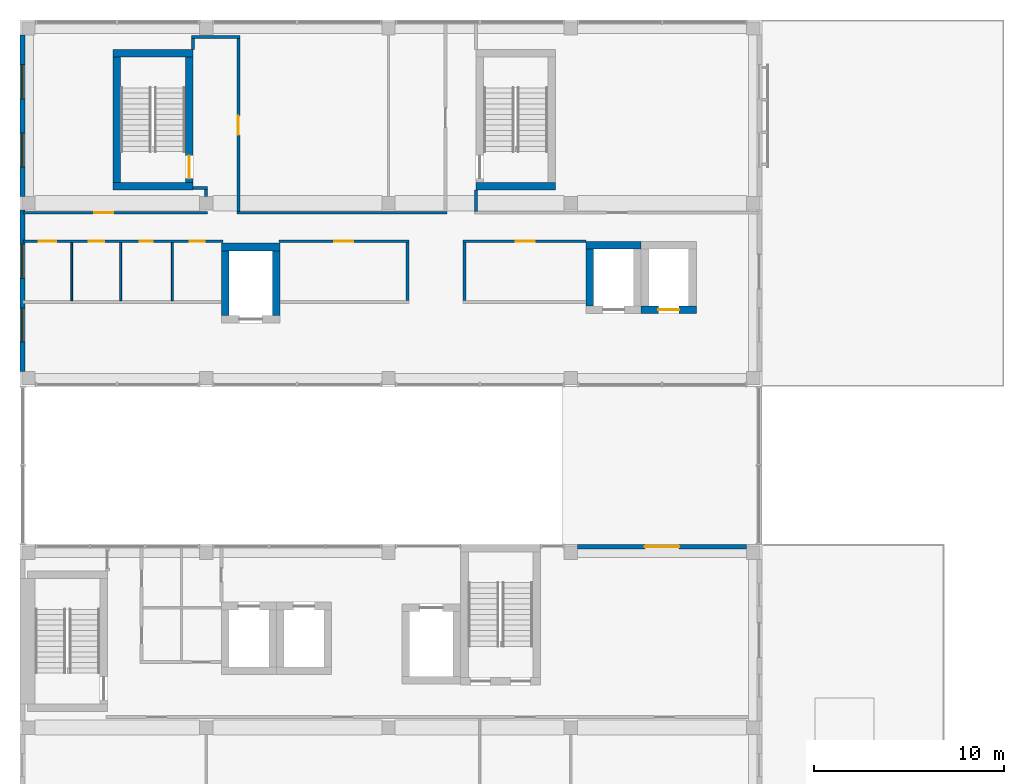
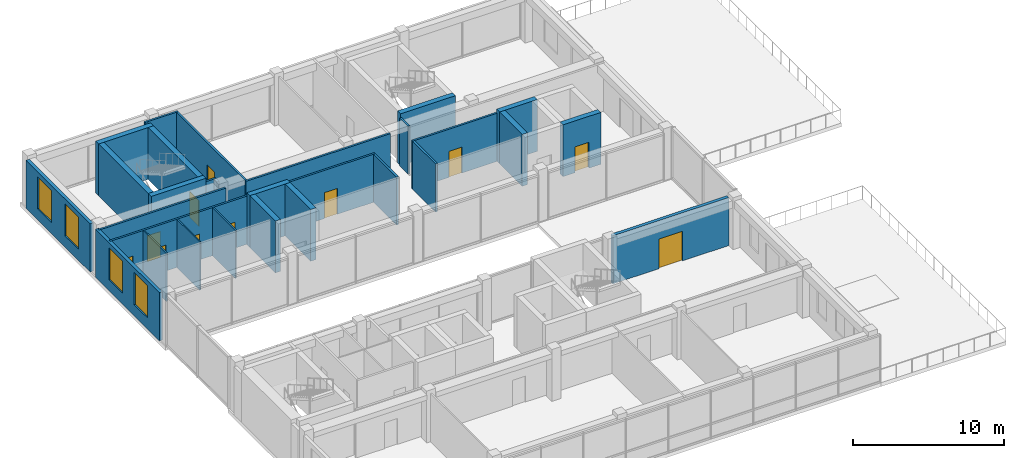
# One storey, part 20 of 27: 30 walls, 11 doors, 4 windows, 15 openings.
"""IFC4 building model written with IfcOpenShell, lengths in metres."""

from ifc_helpers import new_model, si_unit, direction, frame, frame_2d, origin, place, context, subcontext, project, spatial, rectangle, extrude, material, layer, layer_set, layer_usage, type_object, element, fill, save


model = new_model("IFC4")

# Units and contexts
model_context = context("Model", 3, precision=1e-05, world=origin(), true_north=direction((0.0, 1.0)))
body_context = subcontext(model_context, "Body", "Model", "MODEL_VIEW")
ifc_project = project(units=[si_unit("LENGTHUNIT", "METRE"), si_unit("AREAUNIT", "SQUARE_METRE"), si_unit("VOLUMEUNIT", "CUBIC_METRE"), si_unit("PLANEANGLEUNIT", "RADIAN"), si_unit("MASSUNIT", "GRAM", prefix="KILO")], contexts=[model_context])

# Site, building, storey
site_placement = place(None, origin())
site = spatial("IfcSite", under=ifc_project, at=site_placement, CompositionType="ELEMENT")
building_placement = place(site_placement, origin())
building = spatial("IfcBuilding", under=site, at=building_placement, Name="Nzadi Deep Aquarium and Research Tower", CompositionType="ELEMENT")
storey_placement = place(building_placement, frame((0.0, 0.0, 69.699951171875)))
storey = spatial("IfcBuildingStorey", under=building, at=storey_placement, Name="L14", CompositionType="ELEMENT", Elevation=69.699951171875)

# Wall, opening, door
ifc_material_1 = material(Name="Concrete C35/45", Category="concrete")
ifc_layer_1 = layer(ifc_material_1, 0.14990234375, Category="cladding")
ifc_material_2 = material(Name="Mineral wool insulation")
ifc_layer_2 = layer(ifc_material_2, 0.070068359375, Category="insulation")
ifc_material_3 = material(Name="Gypsum board lining")
ifc_layer_3 = layer(ifc_material_3, 0.030029296875, Category="lining")
ifc_layer_set_1 = layer_set([ifc_layer_1, ifc_layer_2, ifc_layer_3], Name="Concrete C35/45, Mineral wool insulation, Gypsum board lining")
ifc_layer_usage_1 = layer_usage(ifc_layer_set_1, "AXIS2", "POSITIVE", -0.125)
wall_type_1 = type_object("IfcWallType", Name="End wall board-formed concrete 250", PredefinedType="ELEMENTEDWALL", material=ifc_layer_set_1)
wall_1_placement = place(storey_placement, frame((38.050048828125, 18.72509765625, 0.0), z_axis=(0.0, 0.0, 1.0), x_axis=(-1.0, 0.0, 0.0)))
wall_1 = element("IfcWall", 1, at=wall_1_placement, inside=storey, type_object=wall_type_1, material=ifc_layer_usage_1, Name="Slot face wall L14 blade A", PredefinedType="ELEMENTEDWALL", context=body_context, shape_type="SweptSolid", body=[
    extrude(rectangle(XDim=8.900146484375, YDim=0.25, at=frame_2d((4.4501953125, 0.0))), origin(), (0.0, 0.0, 1.0), 3.900146484375),
])
opening_1_placement = place(wall_1_placement, frame((3.550048828125, 0.0, 0.0)))
opening_1 = element("IfcOpeningElement", 2, at=opening_1_placement, cuts=wall_1, Name="Opening DE002", PredefinedType="OPENING", context=body_context, shape_type="SweptSolid", body=[
    extrude(rectangle(XDim=1.800048828125, YDim=2.39990234375, at=frame_2d((0.89990234375, 1.199951171875))), frame((0.0, 0.135009765625, 0.0), z_axis=(0.0, -1.0, 0.0), x_axis=(1.0, 0.0, 0.0)), (0.0, 0.0, 1.0), 0.27001953125),
])
ifc_material_4 = material(Name="Aluminium framed glazing", Category="aluminium")
door_type_1 = type_object("IfcDoorType", Name="Terrace double door 1800x2400", OperationType="DOUBLE_DOOR_SINGLE_SWING", PredefinedType="DOOR", material=ifc_material_4)
door_1_placement = place(opening_1_placement, frame((1.800048828125, 0.0, 0.0), z_axis=(0.0, 0.0, 1.0), x_axis=(-1.0, 0.0, 0.0)))
door_1 = element("IfcDoor", 3, at=door_1_placement, inside=storey, type_object=door_type_1, Name="Terrace door L14 bridge roof", OperationType="DOUBLE_DOOR_SINGLE_SWING", OverallHeight=2.39990234375, OverallWidth=1.800048828125, PredefinedType="DOOR", context=body_context, shape_type="SweptSolid", body=[
    extrude(rectangle(XDim=1.800048828125, YDim=2.39990234375, at=frame_2d((0.89990234375, 1.199951171875))), frame((0.0, 0.02490234375, 0.0), z_axis=(0.0, -1.0, 0.0), x_axis=(1.0, 0.0, 0.0)), (0.0, 0.0, 1.0), 0.050048828125),
])
fill(opening_1, door_1)

# Wall, openings, windows
ifc_layer_usage_2 = layer_usage(ifc_layer_set_1, "AXIS2", "POSITIVE", -0.125)
wall_2_placement = place(storey_placement, frame((-0.074462890625, 45.64990234375, 0.0), z_axis=(0.0, 0.0, 1.0), x_axis=(0.0, -1.0, 0.0)))
wall_2 = element("IfcWall", 4, at=wall_2_placement, inside=storey, type_object=wall_type_1, material=ifc_layer_usage_2, Name="End wall blade B west L14", PredefinedType="ELEMENTEDWALL", context=body_context, shape_type="SweptSolid", body=[
    extrude(rectangle(XDim=8.5, YDim=0.25, at=frame_2d((4.25, 0.0))), origin(), (0.0, 0.0, 1.0), 3.900146484375),
])
opening_2_placement = place(wall_2_placement, frame((5.14990234375, 0.0, 0.89990234375)))
opening_2 = element("IfcOpeningElement", 5, at=opening_2_placement, cuts=wall_2, Name="Opening WN01", PredefinedType="OPENING", context=body_context, shape_type="SweptSolid", body=[
    extrude(rectangle(XDim=1.800048828125, YDim=2.60009765625, at=frame_2d((0.89990234375, 1.300048828125))), frame((0.0, 0.135009765625, 0.0), z_axis=(0.0, -1.0, 0.0), x_axis=(1.0, 0.0, 0.0)), (0.0, 0.0, 1.0), 0.27001953125),
])
opening_3_placement = place(wall_2_placement, frame((1.550048828125, 0.0, 0.89990234375)))
opening_3 = element("IfcOpeningElement", 6, at=opening_3_placement, cuts=wall_2, Name="Opening WN01", PredefinedType="OPENING", context=body_context, shape_type="SweptSolid", body=[
    extrude(rectangle(XDim=1.800048828125, YDim=2.60009765625, at=frame_2d((0.89990234375, 1.300048828125))), frame((0.0, 0.135009765625, 0.0), z_axis=(0.0, -1.0, 0.0), x_axis=(1.0, 0.0, 0.0)), (0.0, 0.0, 1.0), 0.27001953125),
])
ifc_material_5 = material(Name="Aluminium window, sage tint glazing", Category="aluminium")
window_type = type_object("IfcWindowType", Name="Slot window 1800x2600 sill 900", PartitioningType="SINGLE_PANEL", PredefinedType="WINDOW", material=ifc_material_5)
window_1_placement = place(opening_2_placement, origin())
window_1 = element("IfcWindow", 7, at=window_1_placement, inside=storey, type_object=window_type, Name="Slot window L14 BW", OverallHeight=2.60009765625, OverallWidth=1.800048828125, PartitioningType="SINGLE_PANEL", PredefinedType="WINDOW", context=body_context, shape_type="SweptSolid", body=[
    extrude(rectangle(XDim=1.800048828125, YDim=2.60009765625, at=frame_2d((0.89990234375, 1.300048828125))), frame((0.0, 0.030029296875, 0.0), z_axis=(0.0, -1.0, 0.0), x_axis=(1.0, 0.0, 0.0)), (0.0, 0.0, 1.0), 0.06005859375),
])
fill(opening_2, window_1)
window_2_placement = place(opening_3_placement, origin())
window_2 = element("IfcWindow", 8, at=window_2_placement, inside=storey, type_object=window_type, Name="Slot window L14 BW", OverallHeight=2.60009765625, OverallWidth=1.800048828125, PartitioningType="SINGLE_PANEL", PredefinedType="WINDOW", context=body_context, shape_type="SweptSolid", body=[
    extrude(rectangle(XDim=1.800048828125, YDim=2.60009765625, at=frame_2d((0.89990234375, 1.300048828125))), frame((0.0, 0.030029296875, 0.0), z_axis=(0.0, -1.0, 0.0), x_axis=(1.0, 0.0, 0.0)), (0.0, 0.0, 1.0), 0.06005859375),
])
fill(opening_3, window_2)

ifc_material_6 = material(Name="Graphite aluminium shingle", Category="aluminium")
ifc_layer_4 = layer(ifc_material_6, 0.050048828125, Category="cladding")
ifc_layer_5 = layer(ifc_material_1, 0.10009765625, Category="cladding")
ifc_layer_6 = layer(ifc_material_2, 0.070068359375, Category="insulation")
ifc_layer_7 = layer(ifc_material_3, 0.030029296875, Category="lining")
ifc_layer_set_2 = layer_set([ifc_layer_4, ifc_layer_5, ifc_layer_6, ifc_layer_7], Name="Graphite aluminium shingle, Concrete C35/45, Mineral wool insulation, Gypsum board lining")
ifc_layer_usage_3 = layer_usage(ifc_layer_set_2, "AXIS2", "POSITIVE", -0.125)
wall_type_2 = type_object("IfcWallType", Name="End wall shingle over board-formed concrete 250", PredefinedType="ELEMENTEDWALL", material=ifc_layer_set_2)
wall_3_placement = place(storey_placement, frame((-0.074462890625, 36.449951171875, 0.0), z_axis=(0.0, 0.0, 1.0), x_axis=(0.0, -1.0, 0.0)))
wall_3 = element("IfcWall", 9, at=wall_3_placement, inside=storey, type_object=wall_type_2, material=ifc_layer_usage_3, Name="End wall blade B west L14", PredefinedType="ELEMENTEDWALL", context=body_context, shape_type="SweptSolid", body=[
    extrude(rectangle(XDim=8.5, YDim=0.25, at=frame_2d((4.25, 0.0))), origin(), (0.0, 0.0, 1.0), 3.900146484375),
])
opening_4_placement = place(wall_3_placement, frame((5.14990234375, 0.0, 0.89990234375)))
opening_4 = element("IfcOpeningElement", 10, at=opening_4_placement, cuts=wall_3, Name="Opening WN01", PredefinedType="OPENING", context=body_context, shape_type="SweptSolid", body=[
    extrude(rectangle(XDim=1.800048828125, YDim=2.60009765625, at=frame_2d((0.89990234375, 1.300048828125))), frame((0.0, 0.135009765625, 0.0), z_axis=(0.0, -1.0, 0.0), x_axis=(1.0, 0.0, 0.0)), (0.0, 0.0, 1.0), 0.27001953125),
])
opening_5_placement = place(wall_3_placement, frame((1.800048828125, 0.0, 0.89990234375)))
opening_5 = element("IfcOpeningElement", 11, at=opening_5_placement, cuts=wall_3, Name="Opening WN01", PredefinedType="OPENING", context=body_context, shape_type="SweptSolid", body=[
    extrude(rectangle(XDim=1.800048828125, YDim=2.60009765625, at=frame_2d((0.89990234375, 1.300048828125))), frame((0.0, 0.135009765625, 0.0), z_axis=(0.0, -1.0, 0.0), x_axis=(1.0, 0.0, 0.0)), (0.0, 0.0, 1.0), 0.27001953125),
])
window_3_placement = place(opening_4_placement, origin())
window_3 = element("IfcWindow", 12, at=window_3_placement, inside=storey, type_object=window_type, Name="Slot window L14 BW", OverallHeight=2.60009765625, OverallWidth=1.800048828125, PartitioningType="SINGLE_PANEL", PredefinedType="WINDOW", context=body_context, shape_type="SweptSolid", body=[
    extrude(rectangle(XDim=1.800048828125, YDim=2.60009765625, at=frame_2d((0.89990234375, 1.300048828125))), frame((0.0, 0.030029296875, 0.0), z_axis=(0.0, -1.0, 0.0), x_axis=(1.0, 0.0, 0.0)), (0.0, 0.0, 1.0), 0.06005859375),
])
fill(opening_4, window_3)
window_4_placement = place(opening_5_placement, origin())
window_4 = element("IfcWindow", 13, at=window_4_placement, inside=storey, type_object=window_type, Name="Slot window L14 BW", OverallHeight=2.60009765625, OverallWidth=1.800048828125, PartitioningType="SINGLE_PANEL", PredefinedType="WINDOW", context=body_context, shape_type="SweptSolid", body=[
    extrude(rectangle(XDim=1.800048828125, YDim=2.60009765625, at=frame_2d((0.89990234375, 1.300048828125))), frame((0.0, 0.030029296875, 0.0), z_axis=(0.0, -1.0, 0.0), x_axis=(1.0, 0.0, 0.0)), (0.0, 0.0, 1.0), 0.06005859375),
])
fill(opening_5, window_4)

# Walls
ifc_material_7 = material(Name="Blockwork masonry", Category="masonry")
ifc_layer_8 = layer(ifc_material_7, 0.10009765625)
ifc_layer_set_3 = layer_set([ifc_layer_8], Name="Blockwork masonry")
wall_type_3 = type_object("IfcWallType", Name="Partition 100 EI 30", PredefinedType="PARTITIONING", material=ifc_layer_set_3)
for number, where, z_axis, x_axis, name in (
    (14, (2.524658203125, 31.675048828125, 0.0), (0.0, 0.0, 1.0), (0.0, 1.0, 0.0), "W-Z1-L14-P004"),
    (15, (5.099365234375, 31.675048828125, 0.0), (0.0, 0.0, 1.0), (0.0, 1.0, 0.0), "W-Z1-L14-P007"),
    (16, (7.825439453125, 31.675048828125, 0.0), (0.0, 0.0, 1.0), (0.0, 1.0, 0.0), "W-Z1-L14-P011"),
):
    element("IfcWall", number, at=place(storey_placement, frame(where, z_axis=z_axis, x_axis=x_axis)), inside=storey, type_object=wall_type_3, Name=name, PredefinedType="PARTITIONING", context=body_context, shape_type="SweptSolid", body=[
        extrude(rectangle(XDim=3.050048828125, YDim=0.10009765625, at=frame_2d((1.52490234375, 0.0))), origin(), (0.0, 0.0, 1.0), 3.900146484375),
    ])

# Wall, openings, doors
ifc_material_8 = material(Name="Blockwork masonry", Category="masonry")
ifc_layer_9 = layer(ifc_material_8, 0.14990234375)
ifc_layer_set_4 = layer_set([ifc_layer_9], Name="Blockwork masonry")
wall_type_4 = type_object("IfcWallType", Name="Partition 150 EI 60", PredefinedType="PARTITIONING", material=ifc_layer_set_4)
wall_4_placement = place(storey_placement, frame((-0.0439453125, 34.800048828125, 0.0), z_axis=(0.0, 0.0, 1.0), x_axis=(1.0, 0.0, 0.0)))
wall_4 = element("IfcWall", 17, at=wall_4_placement, inside=storey, type_object=wall_type_4, Name="W-Z1-L14-P002", PredefinedType="PARTITIONING", context=body_context, shape_type="SweptSolid", body=[
    extrude(rectangle(XDim=10.51904296875, YDim=0.14990234375, at=frame_2d((5.259521484375, 0.0))), origin(), (0.0, 0.0, 1.0), 3.900146484375),
])
opening_6_placement = place(wall_4_placement, frame((0.843994140625, 0.0, 0.0)))
opening_6 = element("IfcOpeningElement", 18, at=opening_6_placement, cuts=wall_4, Name="Opening D151010", PredefinedType="OPENING", context=body_context, shape_type="SweptSolid", body=[
    extrude(rectangle(XDim=0.89990234375, YDim=2.10009765625, at=frame_2d((0.449951171875, 1.050048828125))), frame((0.0, 0.0849609375, 0.0), z_axis=(0.0, -1.0, 0.0), x_axis=(1.0, 0.0, 0.0)), (0.0, 0.0, 1.0), 0.169921875),
])
opening_7_placement = place(wall_4_placement, frame((3.468994140625, 0.0, 0.0)))
opening_7 = element("IfcOpeningElement", 19, at=opening_7_placement, cuts=wall_4, Name="Opening D151011", PredefinedType="OPENING", context=body_context, shape_type="SweptSolid", body=[
    extrude(rectangle(XDim=0.800048828125, YDim=2.10009765625, at=frame_2d((0.39990234375, 1.050048828125))), frame((0.0, 0.0849609375, 0.0), z_axis=(0.0, -1.0, 0.0), x_axis=(1.0, 0.0, 0.0)), (0.0, 0.0, 1.0), 0.169921875),
])
opening_8_placement = place(wall_4_placement, frame((6.14306640625, 0.0, 0.0)))
opening_8 = element("IfcOpeningElement", 20, at=opening_8_placement, cuts=wall_4, Name="Opening D151012", PredefinedType="OPENING", context=body_context, shape_type="SweptSolid", body=[
    extrude(rectangle(XDim=0.699951171875, YDim=2.10009765625, at=frame_2d((0.35009765625, 1.050048828125))), frame((0.0, 0.0849609375, 0.0), z_axis=(0.0, -1.0, 0.0), x_axis=(1.0, 0.0, 0.0)), (0.0, 0.0, 1.0), 0.169921875),
])
opening_9_placement = place(wall_4_placement, frame((8.76904296875, 0.0, 0.0)))
opening_9 = element("IfcOpeningElement", 21, at=opening_9_placement, cuts=wall_4, Name="Opening D151013", PredefinedType="OPENING", context=body_context, shape_type="SweptSolid", body=[
    extrude(rectangle(XDim=0.800048828125, YDim=2.10009765625, at=frame_2d((0.39990234375, 1.050048828125))), frame((0.0, 0.0849609375, 0.0), z_axis=(0.0, -1.0, 0.0), x_axis=(1.0, 0.0, 0.0)), (0.0, 0.0, 1.0), 0.169921875),
])
ifc_material_9 = material(Name="Fire-rated steel door", Category="steel")
ifc_layer_10 = layer(ifc_material_9, 0.050048828125)
ifc_layer_set_5 = layer_set([ifc_layer_10], Name="Fire-rated steel door")
door_type_2 = type_object("IfcDoorType", Name="Door 700x2100 EI 60 single", OperationType="SINGLE_SWING_LEFT", PredefinedType="DOOR", material=ifc_layer_set_5)
door_2_placement = place(opening_8_placement, origin())
door_2 = element("IfcDoor", 22, at=door_2_placement, inside=storey, type_object=door_type_2, Name="D151012", OperationType="SINGLE_SWING_LEFT", OverallHeight=2.10009765625, OverallWidth=0.699951171875, PredefinedType="DOOR", context=body_context, shape_type="SweptSolid", body=[
    extrude(rectangle(XDim=0.699951171875, YDim=2.10009765625, at=frame_2d((0.35009765625, 1.050048828125))), frame((0.0, 0.02490234375, 0.0), z_axis=(0.0, -1.0, 0.0), x_axis=(1.0, 0.0, 0.0)), (0.0, 0.0, 1.0), 0.050048828125),
])
fill(opening_8, door_2)
ifc_material_10 = material(Name="Fire-rated steel door", Category="steel")
ifc_layer_11 = layer(ifc_material_10, 0.050048828125)
ifc_layer_set_6 = layer_set([ifc_layer_11], Name="Fire-rated steel door")
door_type_3 = type_object("IfcDoorType", Name="Door 800x2100 EI 60 single", OperationType="SINGLE_SWING_LEFT", PredefinedType="DOOR", material=ifc_layer_set_6)
door_3_placement = place(opening_7_placement, origin())
door_3 = element("IfcDoor", 23, at=door_3_placement, inside=storey, type_object=door_type_3, Name="D151011", OperationType="SINGLE_SWING_RIGHT", OverallHeight=2.10009765625, OverallWidth=0.800048828125, PredefinedType="DOOR", context=body_context, shape_type="SweptSolid", body=[
    extrude(rectangle(XDim=0.800048828125, YDim=2.10009765625, at=frame_2d((0.39990234375, 1.050048828125))), frame((0.0, 0.02490234375, 0.0), z_axis=(0.0, -1.0, 0.0), x_axis=(1.0, 0.0, 0.0)), (0.0, 0.0, 1.0), 0.050048828125),
])
fill(opening_7, door_3)
door_4_placement = place(opening_9_placement, origin())
door_4 = element("IfcDoor", 24, at=door_4_placement, inside=storey, type_object=door_type_3, Name="D151013", OperationType="SINGLE_SWING_LEFT", OverallHeight=2.10009765625, OverallWidth=0.800048828125, PredefinedType="DOOR", context=body_context, shape_type="SweptSolid", body=[
    extrude(rectangle(XDim=0.800048828125, YDim=2.10009765625, at=frame_2d((0.39990234375, 1.050048828125))), frame((0.0, 0.02490234375, 0.0), z_axis=(0.0, -1.0, 0.0), x_axis=(1.0, 0.0, 0.0)), (0.0, 0.0, 1.0), 0.050048828125),
])
fill(opening_9, door_4)
ifc_material_11 = material(Name="Fire-rated steel door", Category="steel")
ifc_layer_12 = layer(ifc_material_11, 0.050048828125)
ifc_layer_set_7 = layer_set([ifc_layer_12], Name="Fire-rated steel door")
door_type_4 = type_object("IfcDoorType", Name="Door 900x2100 EI 60 single", OperationType="SINGLE_SWING_LEFT", PredefinedType="DOOR", material=ifc_layer_set_7)
door_5_placement = place(opening_6_placement, origin())
door_5 = element("IfcDoor", 25, at=door_5_placement, inside=storey, type_object=door_type_4, Name="D151010", OperationType="SINGLE_SWING_RIGHT", OverallHeight=2.10009765625, OverallWidth=0.89990234375, PredefinedType="DOOR", context=body_context, shape_type="SweptSolid", body=[
    extrude(rectangle(XDim=0.89990234375, YDim=2.10009765625, at=frame_2d((0.449951171875, 1.050048828125))), frame((0.0, 0.02490234375, 0.0), z_axis=(0.0, -1.0, 0.0), x_axis=(1.0, 0.0, 0.0)), (0.0, 0.0, 1.0), 0.050048828125),
])
fill(opening_6, door_5)

# Wall, opening, door
wall_5_placement = place(storey_placement, frame((-0.0439453125, 36.300048828125, 0.0), z_axis=(0.0, 0.0, 1.0), x_axis=(1.0, 0.0, 0.0)))
wall_5 = element("IfcWall", 26, at=wall_5_placement, inside=storey, type_object=wall_type_4, Name="W-Z1-L14-P003", PredefinedType="PARTITIONING", context=body_context, shape_type="SweptSolid", body=[
    extrude(rectangle(XDim=9.718994140625, YDim=0.14990234375, at=frame_2d((4.859375, 0.0))), origin(), (0.0, 0.0, 1.0), 3.900146484375),
])
opening_10_placement = place(wall_5_placement, frame((3.743896484375, 0.0, 0.0)))
opening_10 = element("IfcOpeningElement", 27, at=opening_10_placement, cuts=wall_5, Name="Opening D151016", PredefinedType="OPENING", context=body_context, shape_type="SweptSolid", body=[
    extrude(rectangle(XDim=1.0, YDim=2.10009765625, at=frame_2d((0.5, 1.050048828125))), frame((0.0, 0.0849609375, 0.0), z_axis=(0.0, -1.0, 0.0), x_axis=(1.0, 0.0, 0.0)), (0.0, 0.0, 1.0), 0.169921875),
])
ifc_material_12 = material(Name="Fire-rated steel door", Category="steel")
ifc_layer_13 = layer(ifc_material_12, 0.050048828125)
ifc_layer_set_8 = layer_set([ifc_layer_13], Name="Fire-rated steel door")
door_type_5 = type_object("IfcDoorType", Name="Door 1000x2100 EI 60 single", OperationType="SINGLE_SWING_LEFT", PredefinedType="DOOR", material=ifc_layer_set_8)
door_6_placement = place(opening_10_placement, origin())
door_6 = element("IfcDoor", 28, at=door_6_placement, inside=storey, type_object=door_type_5, Name="D151016", OperationType="SINGLE_SWING_RIGHT", OverallHeight=2.10009765625, OverallWidth=1.0, PredefinedType="DOOR", context=body_context, shape_type="SweptSolid", body=[
    extrude(rectangle(XDim=1.0, YDim=2.10009765625, at=frame_2d((0.5, 1.050048828125))), frame((0.0, 0.02490234375, 0.0), z_axis=(0.0, -1.0, 0.0), x_axis=(1.0, 0.0, 0.0)), (0.0, 0.0, 1.0), 0.050048828125),
])
fill(opening_10, door_6)

# Walls
wall_6_placement = place(storey_placement, frame((8.89990234375, 44.906005859375, 0.0), z_axis=(0.0, 0.0, 1.0), x_axis=(0.0, 1.0, 0.0)))
element("IfcWall", 29, at=wall_6_placement, inside=storey, type_object=wall_type_4, Name="W-Z1-L14-P014", PredefinedType="PARTITIONING", context=body_context, shape_type="SweptSolid", body=[
    extrude(rectangle(XDim=0.569091796875, YDim=0.14990234375, at=frame_2d((0.28466796875, 0.0))), origin(), (0.0, 0.0, 1.0), 3.900146484375),
])
wall_7_placement = place(storey_placement, frame((8.824951171875, 45.550048828125, 0.0), z_axis=(0.0, 0.0, 1.0), x_axis=(1.0, 0.0, 0.0)))
element("IfcWall", 30, at=wall_7_placement, inside=storey, type_object=wall_type_4, Name="W-Z1-L14-P015", PredefinedType="PARTITIONING", context=body_context, shape_type="SweptSolid", body=[
    extrude(rectangle(XDim=2.550048828125, YDim=0.14990234375, at=frame_2d((1.27490234375, 0.0))), origin(), (0.0, 0.0, 1.0), 3.900146484375),
])
wall_8_placement = place(storey_placement, frame((8.906005859375, 37.60009765625, 0.0), z_axis=(0.0, 0.0, 1.0), x_axis=(1.0, 0.0, 0.0)))
element("IfcWall", 31, at=wall_8_placement, inside=storey, type_object=wall_type_4, Name="W-Z1-L14-P016", PredefinedType="PARTITIONING", context=body_context, shape_type="SweptSolid", body=[
    extrude(rectangle(XDim=0.76904296875, YDim=0.14990234375, at=frame_2d((0.384521484375, 0.0))), origin(), (0.0, 0.0, 1.0), 3.900146484375),
])
wall_9_placement = place(storey_placement, frame((9.60009765625, 37.14990234375, 0.0), z_axis=(0.0, 0.0, 1.0), x_axis=(0.0, 1.0, 0.0)))
element("IfcWall", 32, at=wall_9_placement, inside=storey, type_object=wall_type_4, Name="W-Z1-L14-P017", PredefinedType="PARTITIONING", context=body_context, shape_type="SweptSolid", body=[
    extrude(rectangle(XDim=0.375, YDim=0.14990234375, at=frame_2d((0.1875, 0.0))), origin(), (0.0, 0.0, 1.0), 3.900146484375),
])
wall_10_placement = place(storey_placement, frame((11.22509765625, 36.300048828125, 0.0), z_axis=(0.0, 0.0, 1.0), x_axis=(1.0, 0.0, 0.0)))
element("IfcWall", 33, at=wall_10_placement, inside=storey, type_object=wall_type_4, Name="W-Z1-L14-P020", PredefinedType="PARTITIONING", context=body_context, shape_type="SweptSolid", body=[
    extrude(rectangle(XDim=11.0498046875, YDim=0.14990234375, at=frame_2d((5.52490234375, 0.0))), origin(), (0.0, 0.0, 1.0), 3.900146484375),
])

# Wall, opening, door
wall_11_placement = place(storey_placement, frame((11.300048828125, 36.375, 0.0), z_axis=(0.0, 0.0, 1.0), x_axis=(0.0, 1.0, 0.0)))
wall_11 = element("IfcWall", 34, at=wall_11_placement, inside=storey, type_object=wall_type_4, Name="W-Z1-L14-P021", PredefinedType="PARTITIONING", context=body_context, shape_type="SweptSolid", body=[
    extrude(rectangle(XDim=9.10009765625, YDim=0.14990234375, at=frame_2d((4.550048828125, 0.0))), origin(), (0.0, 0.0, 1.0), 3.900146484375),
])
opening_11_placement = place(wall_11_placement, frame((4.02490234375, 0.0, 0.0)))
opening_11 = element("IfcOpeningElement", 35, at=opening_11_placement, cuts=wall_11, Name="Opening D151017", PredefinedType="OPENING", context=body_context, shape_type="SweptSolid", body=[
    extrude(rectangle(XDim=1.0, YDim=2.10009765625, at=frame_2d((0.5, 1.050048828125))), frame((0.0, 0.0849609375, 0.0), z_axis=(0.0, -1.0, 0.0), x_axis=(1.0, 0.0, 0.0)), (0.0, 0.0, 1.0), 0.169921875),
])
door_7_placement = place(opening_11_placement, origin())
door_7 = element("IfcDoor", 36, at=door_7_placement, inside=storey, type_object=door_type_5, Name="D151017", OperationType="SINGLE_SWING_LEFT", OverallHeight=2.10009765625, OverallWidth=1.0, PredefinedType="DOOR", context=body_context, shape_type="SweptSolid", body=[
    extrude(rectangle(XDim=1.0, YDim=2.10009765625, at=frame_2d((0.5, 1.050048828125))), frame((0.0, 0.02490234375, 0.0), z_axis=(0.0, -1.0, 0.0), x_axis=(1.0, 0.0, 0.0)), (0.0, 0.0, 1.0), 0.050048828125),
])
fill(opening_11, door_7)

wall_12_placement = place(storey_placement, frame((13.425048828125, 34.800048828125, 0.0), z_axis=(0.0, 0.0, 1.0), x_axis=(1.0, 0.0, 0.0)))
wall_12 = element("IfcWall", 37, at=wall_12_placement, inside=storey, type_object=wall_type_4, Name="W-Z1-L14-P022", PredefinedType="PARTITIONING", context=body_context, shape_type="SweptSolid", body=[
    extrude(rectangle(XDim=6.849853515625, YDim=0.14990234375, at=frame_2d((3.4248046875, 0.0))), origin(), (0.0, 0.0, 1.0), 3.900146484375),
])
opening_12_placement = place(wall_12_placement, frame((2.925048828125, 0.0, 0.0)))
opening_12 = element("IfcOpeningElement", 38, at=opening_12_placement, cuts=wall_12, Name="Opening D151014", PredefinedType="OPENING", context=body_context, shape_type="SweptSolid", body=[
    extrude(rectangle(XDim=1.0, YDim=2.10009765625, at=frame_2d((0.5, 1.050048828125))), frame((0.0, 0.0849609375, 0.0), z_axis=(0.0, -1.0, 0.0), x_axis=(1.0, 0.0, 0.0)), (0.0, 0.0, 1.0), 0.169921875),
])
door_8_placement = place(opening_12_placement, origin())
door_8 = element("IfcDoor", 39, at=door_8_placement, inside=storey, type_object=door_type_5, Name="D151014", OperationType="SINGLE_SWING_RIGHT", OverallHeight=2.10009765625, OverallWidth=1.0, PredefinedType="DOOR", context=body_context, shape_type="SweptSolid", body=[
    extrude(rectangle(XDim=1.0, YDim=2.10009765625, at=frame_2d((0.5, 1.050048828125))), frame((0.0, 0.02490234375, 0.0), z_axis=(0.0, -1.0, 0.0), x_axis=(1.0, 0.0, 0.0)), (0.0, 0.0, 1.0), 0.050048828125),
])
fill(opening_12, door_8)

# Walls
for number, where, z_axis, x_axis, name in (
    (40, (20.199951171875, 31.675048828125, 0.0), (0.0, 0.0, 1.0), (0.0, 1.0, 0.0), "W-Z1-L14-P025"),
    (41, (23.199951171875, 31.675048828125, 0.0), (0.0, 0.0, 1.0), (0.0, 1.0, 0.0), "W-Z1-L14-P028"),
):
    element("IfcWall", number, at=place(storey_placement, frame(where, z_axis=z_axis, x_axis=x_axis)), inside=storey, type_object=wall_type_4, Name=name, PredefinedType="PARTITIONING", context=body_context, shape_type="SweptSolid", body=[
        extrude(rectangle(XDim=3.050048828125, YDim=0.14990234375, at=frame_2d((1.52490234375, 0.0))), origin(), (0.0, 0.0, 1.0), 3.900146484375),
    ])

# Wall, opening, door
wall_13_placement = place(storey_placement, frame((23.125, 34.800048828125, 0.0), z_axis=(0.0, 0.0, 1.0), x_axis=(1.0, 0.0, 0.0)))
wall_13 = element("IfcWall", 42, at=wall_13_placement, inside=storey, type_object=wall_type_4, Name="W-Z1-L14-P029", PredefinedType="PARTITIONING", context=body_context, shape_type="SweptSolid", body=[
    extrude(rectangle(XDim=6.468994140625, YDim=0.14990234375, at=frame_2d((3.234375, 0.0))), origin(), (0.0, 0.0, 1.0), 3.900146484375),
])
opening_13_placement = place(wall_13_placement, frame((2.77490234375, 0.0, 0.0)))
opening_13 = element("IfcOpeningElement", 43, at=opening_13_placement, cuts=wall_13, Name="Opening D151015", PredefinedType="OPENING", context=body_context, shape_type="SweptSolid", body=[
    extrude(rectangle(XDim=1.0, YDim=2.10009765625, at=frame_2d((0.5, 1.050048828125))), frame((0.0, 0.0849609375, 0.0), z_axis=(0.0, -1.0, 0.0), x_axis=(1.0, 0.0, 0.0)), (0.0, 0.0, 1.0), 0.169921875),
])
door_9_placement = place(opening_13_placement, origin())
door_9 = element("IfcDoor", 44, at=door_9_placement, inside=storey, type_object=door_type_5, Name="D151015", OperationType="SINGLE_SWING_LEFT", OverallHeight=2.10009765625, OverallWidth=1.0, PredefinedType="DOOR", context=body_context, shape_type="SweptSolid", body=[
    extrude(rectangle(XDim=1.0, YDim=2.10009765625, at=frame_2d((0.5, 1.050048828125))), frame((0.0, 0.02490234375, 0.0), z_axis=(0.0, -1.0, 0.0), x_axis=(1.0, 0.0, 0.0)), (0.0, 0.0, 1.0), 0.050048828125),
])
fill(opening_13, door_9)

# Walls
wall_14_placement = place(storey_placement, frame((23.800048828125, 36.375, 0.0), z_axis=(0.0, 0.0, 1.0), x_axis=(0.0, 1.0, 0.0)))
element("IfcWall", 45, at=wall_14_placement, inside=storey, type_object=wall_type_4, Name="W-Z1-L14-P031", PredefinedType="PARTITIONING", context=body_context, shape_type="SweptSolid", body=[
    extrude(rectangle(XDim=1.118896484375, YDim=0.14990234375, at=frame_2d((0.5595703125, 0.0))), origin(), (0.0, 0.0, 1.0), 3.900146484375),
])
ifc_material_13 = material(Name="Concrete C35/45", Category="concrete")
ifc_layer_14 = layer(ifc_material_13, 0.39990234375)
ifc_layer_set_9 = layer_set([ifc_layer_14], Name="Concrete C35/45")
wall_type_5 = type_object("IfcWallType", Name="RC core wall 400", PredefinedType="SHEAR", material=ifc_layer_set_9)
for number, where, z_axis, x_axis, name in (
    (46, (4.699951171875, 37.699951171875, 0.0), (0.0, 0.0, 1.0), (1.0, 0.0, 0.0), "W-CORE-ST-Z1-NW-L14-S"),
    (47, (4.699951171875, 44.699951171875, 0.0), (0.0, 0.0, 1.0), (1.0, 0.0, 0.0), "W-CORE-ST-Z1-NW-L14-N"),
):
    element("IfcWall", number, at=place(storey_placement, frame(where, z_axis=z_axis, x_axis=x_axis)), inside=storey, type_object=wall_type_5, Name=name, PredefinedType="SHEAR", context=body_context, shape_type="SweptSolid", body=[
        extrude(rectangle(XDim=4.199951171875, YDim=0.39990234375, at=frame_2d((2.10009765625, 0.0))), origin(), (0.0, 0.0, 1.0), 4.199951171875),
    ])
wall_15_placement = place(storey_placement, frame((4.89990234375, 37.89990234375, 0.0), z_axis=(0.0, 0.0, 1.0), x_axis=(0.0, 1.0, 0.0)))
element("IfcWall", 48, at=wall_15_placement, inside=storey, type_object=wall_type_5, Name="W-CORE-ST-Z1-NW-L14-W", PredefinedType="SHEAR", context=body_context, shape_type="SweptSolid", body=[
    extrude(rectangle(XDim=6.60009765625, YDim=0.39990234375, at=frame_2d((3.300048828125, 0.0))), origin(), (0.0, 0.0, 1.0), 4.199951171875),
])

# Wall, opening, door
wall_16_placement = place(storey_placement, frame((8.699951171875, 37.89990234375, 0.0), z_axis=(0.0, 0.0, 1.0), x_axis=(0.0, 1.0, 0.0)))
wall_16 = element("IfcWall", 49, at=wall_16_placement, inside=storey, type_object=wall_type_5, Name="W-CORE-ST-Z1-NW-L14-E", PredefinedType="SHEAR", context=body_context, shape_type="SweptSolid", body=[
    extrude(rectangle(XDim=6.60009765625, YDim=0.39990234375, at=frame_2d((3.300048828125, 0.0))), origin(), (0.0, 0.0, 1.0), 4.199951171875),
])
opening_14_placement = place(wall_16_placement, frame((0.2099609375, 0.0, 0.0)))
opening_14 = element("IfcOpeningElement", 50, at=opening_14_placement, cuts=wall_16, Name="Opening DS-Z1-NW-L14", PredefinedType="OPENING", context=body_context, shape_type="SweptSolid", body=[
    extrude(rectangle(XDim=1.199951171875, YDim=2.10009765625, at=frame_2d((0.60009765625, 1.050048828125))), frame((0.0, 0.2099609375, 0.0), z_axis=(0.0, -1.0, 0.0), x_axis=(1.0, 0.0, 0.0)), (0.0, 0.0, 1.0), 0.419921875),
])
ifc_material_14 = material(Name="Steel, powder coated", Category="steel")
door_type_6 = type_object("IfcDoorType", Name="STAIR DOOR 1200x2100 EI 60", OperationType="SINGLE_SWING_LEFT", PredefinedType="DOOR", material=ifc_material_14)
door_10_placement = place(opening_14_placement, origin())
door_10 = element("IfcDoor", 51, at=door_10_placement, inside=storey, type_object=door_type_6, Name="Stair door ST-Z1-NW L14", OperationType="SINGLE_SWING_RIGHT", OverallHeight=2.10009765625, OverallWidth=1.199951171875, PredefinedType="DOOR", context=body_context, shape_type="SweptSolid", body=[
    extrude(rectangle(XDim=1.199951171875, YDim=2.10009765625, at=frame_2d((0.60009765625, 1.050048828125))), frame((0.0, 0.02490234375, 0.0), z_axis=(0.0, -1.0, 0.0), x_axis=(1.0, 0.0, 0.0)), (0.0, 0.0, 1.0), 0.050048828125),
])
fill(opening_14, door_10)

# Walls
wall_17_placement = place(storey_placement, frame((23.800048828125, 37.699951171875, 0.0), z_axis=(0.0, 0.0, 1.0), x_axis=(1.0, 0.0, 0.0)))
element("IfcWall", 52, at=wall_17_placement, inside=storey, type_object=wall_type_5, Name="W-CORE-ST-Z1-NE-L14-S", PredefinedType="SHEAR", context=body_context, shape_type="SweptSolid", body=[
    extrude(rectangle(XDim=4.199951171875, YDim=0.39990234375, at=frame_2d((2.10009765625, 0.0))), origin(), (0.0, 0.0, 1.0), 4.199951171875),
])
wall_18_placement = place(storey_placement, frame((10.39990234375, 34.5, 0.0), z_axis=(0.0, 0.0, 1.0), x_axis=(1.0, 0.0, 0.0)))
element("IfcWall", 53, at=wall_18_placement, inside=storey, type_object=wall_type_5, Name="W-CORE-FL2-L14-N", PredefinedType="SHEAR", context=body_context, shape_type="SweptSolid", body=[
    extrude(rectangle(XDim=3.10009765625, YDim=0.39990234375, at=frame_2d((1.550048828125, 0.0))), origin(), (0.0, 0.0, 1.0), 4.199951171875),
])
for number, where, z_axis, x_axis, name in (
    (54, (10.60009765625, 30.89990234375, 0.0), (0.0, 0.0, 1.0), (0.0, 1.0, 0.0), "W-CORE-FL2-L14-W"),
    (55, (13.300048828125, 30.89990234375, 0.0), (0.0, 0.0, 1.0), (0.0, 1.0, 0.0), "W-CORE-FL2-L14-E"),
):
    element("IfcWall", number, at=place(storey_placement, frame(where, z_axis=z_axis, x_axis=x_axis)), inside=storey, type_object=wall_type_5, Name=name, PredefinedType="SHEAR", context=body_context, shape_type="SweptSolid", body=[
        extrude(rectangle(XDim=3.400146484375, YDim=0.39990234375, at=frame_2d((1.7001953125, 0.0))), origin(), (0.0, 0.0, 1.0), 4.199951171875),
    ])
wall_19_placement = place(storey_placement, frame((29.60009765625, 34.60009765625, 0.0), z_axis=(0.0, 0.0, 1.0), x_axis=(1.0, 0.0, 0.0)))
element("IfcWall", 56, at=wall_19_placement, inside=storey, type_object=wall_type_5, Name="W-CORE-TL3-L14-N", PredefinedType="SHEAR", context=body_context, shape_type="SweptSolid", body=[
    extrude(rectangle(XDim=2.89990234375, YDim=0.39990234375, at=frame_2d((1.449951171875, 0.0))), origin(), (0.0, 0.0, 1.0), 4.199951171875),
])
wall_20_placement = place(storey_placement, frame((29.800048828125, 31.39990234375, 0.0), z_axis=(0.0, 0.0, 1.0), x_axis=(0.0, 1.0, 0.0)))
element("IfcWall", 57, at=wall_20_placement, inside=storey, type_object=wall_type_5, Name="W-CORE-TL3-L14-W", PredefinedType="SHEAR", context=body_context, shape_type="SweptSolid", body=[
    extrude(rectangle(XDim=3.0, YDim=0.39990234375, at=frame_2d((1.5, 0.0))), origin(), (0.0, 0.0, 1.0), 4.199951171875),
])

# Wall, opening, door
wall_21_placement = place(storey_placement, frame((32.5, 31.199951171875, 0.0), z_axis=(0.0, 0.0, 1.0), x_axis=(1.0, 0.0, 0.0)))
wall_21 = element("IfcWall", 58, at=wall_21_placement, inside=storey, type_object=wall_type_5, Name="W-CORE-TL4-L14-S", PredefinedType="SHEAR", context=body_context, shape_type="SweptSolid", body=[
    extrude(rectangle(XDim=2.89990234375, YDim=0.39990234375, at=frame_2d((1.449951171875, 0.0))), origin(), (0.0, 0.0, 1.0), 4.199951171875),
])
opening_15_placement = place(wall_21_placement, frame((0.89990234375, 0.0, 0.0)))
opening_15 = element("IfcOpeningElement", 59, at=opening_15_placement, cuts=wall_21, Name="Opening LD-TL4-L14", PredefinedType="OPENING", context=body_context, shape_type="SweptSolid", body=[
    extrude(rectangle(XDim=1.10009765625, YDim=2.10009765625, at=frame_2d((0.550048828125, 1.050048828125))), frame((0.0, 0.2099609375, 0.0), z_axis=(0.0, -1.0, 0.0), x_axis=(1.0, 0.0, 0.0)), (0.0, 0.0, 1.0), 0.419921875),
])
ifc_material_15 = material(Name="Stainless steel 1.4301", Category="steel")
door_type_7 = type_object("IfcDoorType", Name="LANDING DOOR 1100x2100", OperationType="DOUBLE_DOOR_SLIDING", PredefinedType="DOOR", material=ifc_material_15)
door_11_placement = place(opening_15_placement, origin())
door_11 = element("IfcDoor", 60, at=door_11_placement, inside=storey, type_object=door_type_7, Name="Landing door TL4 L14", OperationType="DOUBLE_DOOR_SLIDING", OverallHeight=2.10009765625, OverallWidth=1.10009765625, PredefinedType="DOOR", context=body_context, shape_type="SweptSolid", body=[
    extrude(rectangle(XDim=1.10009765625, YDim=2.10009765625, at=frame_2d((0.550048828125, 1.050048828125))), frame((0.0, 0.02490234375, 0.0), z_axis=(0.0, -1.0, 0.0), x_axis=(1.0, 0.0, 0.0)), (0.0, 0.0, 1.0), 0.050048828125),
])
fill(opening_15, door_11)

save(model, "model.ifc")
